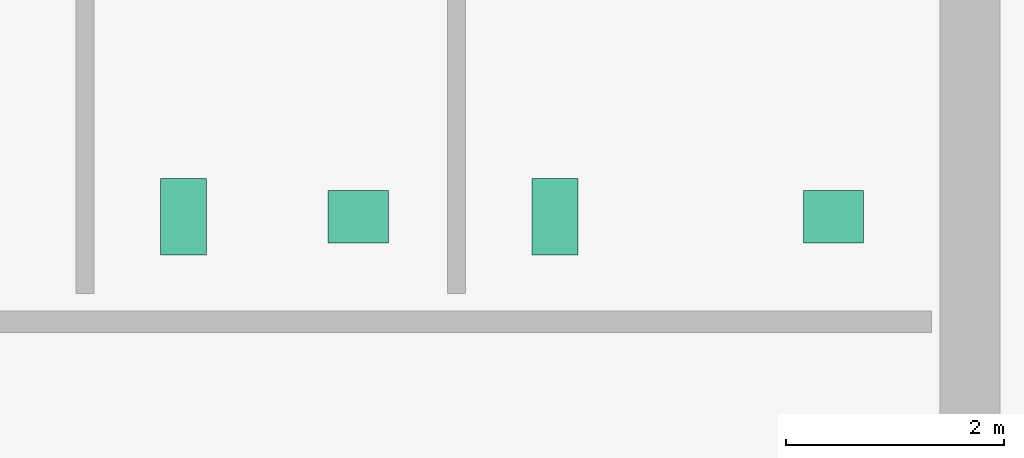
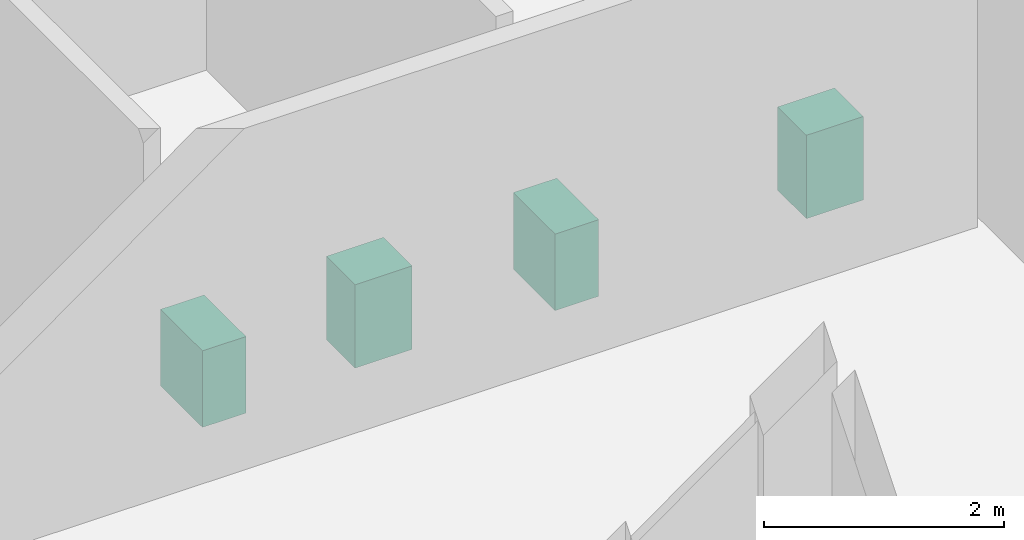
# One storey, part 11 of 11: 4 sanitary terminals.
"""IFC4 building model written with IfcOpenShell, lengths in metres."""

from ifc_helpers import new_model, si_unit, direction, frame, origin, origin_2d, place, context, subcontext, project, spatial, rectangle, extrude, material, type_object, element, save


model = new_model("IFC4")

# Units and contexts
model_context = context("Model", 3, precision=1e-05, world=origin(), true_north=direction((0.0, 1.0)))
body_context = subcontext(model_context, "Body", "Model", "MODEL_VIEW")
ifc_project = project(units=[si_unit("LENGTHUNIT", "METRE"), si_unit("AREAUNIT", "SQUARE_METRE"), si_unit("VOLUMEUNIT", "CUBIC_METRE"), si_unit("PLANEANGLEUNIT", "RADIAN"), si_unit("MASSUNIT", "GRAM", prefix="KILO")], contexts=[model_context])

# Site, building, storey
site_placement = place(None, origin())
site = spatial("IfcSite", under=ifc_project, at=site_placement, CompositionType="ELEMENT")
building_placement = place(site_placement, origin())
building = spatial("IfcBuilding", under=site, at=building_placement, Name="Norrvale University Quadrangle", CompositionType="ELEMENT")
storey_placement = place(building_placement, frame((0.0, 0.0, 252.199951171875)))
storey = spatial("IfcBuildingStorey", under=building, at=storey_placement, Name="L64", CompositionType="ELEMENT", Elevation=252.199951171875)

# Sanitary terminals
ifc_material = material(Name="Vitreous China Sanitaryware")
sanitary_terminal_type_1 = type_object("IfcSanitaryTerminalType", Name="Sanitary Wash Basin", PredefinedType="WASHHANDBASIN", material=ifc_material)
for number, where, z_axis, x_axis, name in (
    (1, (11.199951171875, 41.10009765625, 0.0), (0.0, 0.0, 1.0), (1.0, 0.0, 0.0), "Accessible Countertop Washbasin L64-1"),
    (2, (15.550048828125, 41.10009765625, 0.0), (0.0, 0.0, 1.0), (1.0, 0.0, 0.0), "Accessible Countertop Washbasin L64-2"),
):
    element("IfcSanitaryTerminal", number, at=place(storey_placement, frame(where, z_axis=z_axis, x_axis=x_axis)), inside=storey, type_object=sanitary_terminal_type_1, Name=name, PredefinedType="WASHHANDBASIN", context=body_context, shape_type="SweptSolid", body=[
        extrude(rectangle(XDim=0.550048828125, YDim=0.47998046875, at=origin_2d()), origin(), (0.0, 0.0, 1.0), 0.85009765625),
    ])
sanitary_terminal_type_2 = type_object("IfcSanitaryTerminalType", Name="Sanitary Water Closet", PredefinedType="TOILETPAN", material=ifc_material)
for number, where, z_axis, x_axis, name in (
    (3, (9.60009765625, 41.10009765625, 0.0), (0.0, 0.0, 1.0), (1.0, 0.0, 0.0), "Wall-Hung Water Closet L64-1"),
    (4, (13.0, 41.10009765625, 0.0), (0.0, 0.0, 1.0), (1.0, 0.0, 0.0), "Wall-Hung Water Closet L64-2"),
):
    element("IfcSanitaryTerminal", number, at=place(storey_placement, frame(where, z_axis=z_axis, x_axis=x_axis)), inside=storey, type_object=sanitary_terminal_type_2, Name=name, PredefinedType="TOILETPAN", context=body_context, shape_type="SweptSolid", body=[
        extrude(rectangle(XDim=0.419921875, YDim=0.699951171875, at=origin_2d()), origin(), (0.0, 0.0, 1.0), 0.780029296875),
    ])

save(model, "model.ifc")
